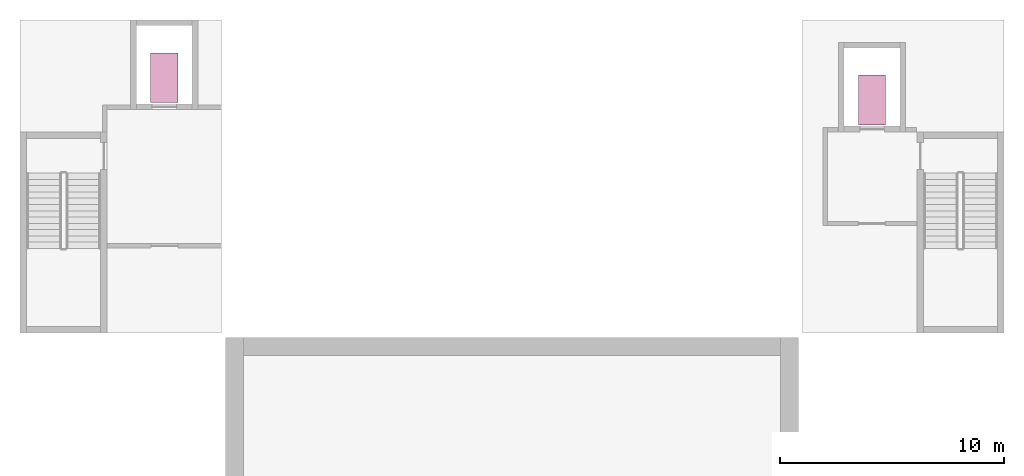
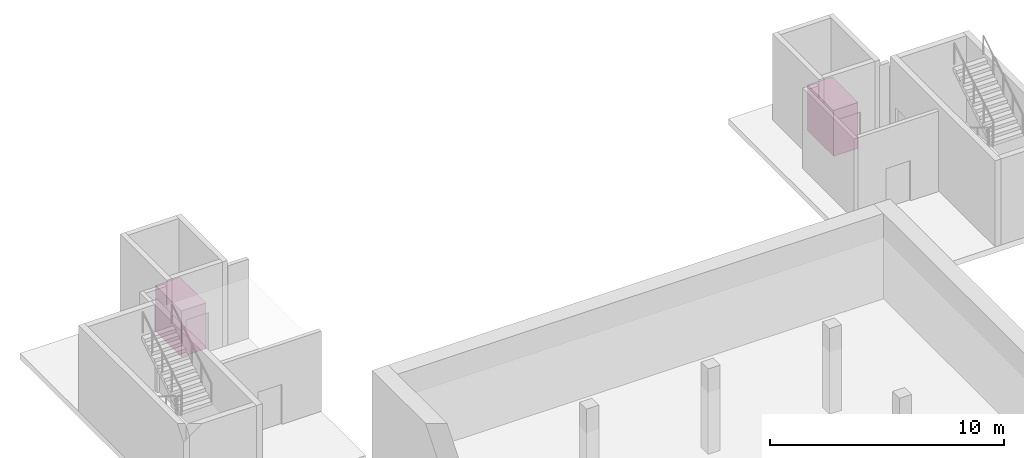
# One storey, part 7 of 7: 2 transport elements.
"""IFC4 building model written with IfcOpenShell, lengths in metres."""

from ifc_helpers import new_model, si_unit, direction, frame, origin, origin_2d, place, context, subcontext, project, spatial, rectangle, extrude, material, type_object, element, save


model = new_model("IFC4")

# Units and contexts
model_context = context("Model", 3, precision=1e-05, world=origin(), true_north=direction((0.0, 1.0)))
body_context = subcontext(model_context, "Body", "Model", "MODEL_VIEW")
ifc_project = project(units=[si_unit("LENGTHUNIT", "METRE"), si_unit("AREAUNIT", "SQUARE_METRE"), si_unit("VOLUMEUNIT", "CUBIC_METRE"), si_unit("PLANEANGLEUNIT", "RADIAN"), si_unit("MASSUNIT", "GRAM", prefix="KILO")], contexts=[model_context])

# Site, building, storey
site_placement = place(None, origin())
site = spatial("IfcSite", under=ifc_project, at=site_placement, CompositionType="ELEMENT")
building_placement = place(site_placement, origin())
building = spatial("IfcBuilding", under=site, at=building_placement, Name="Lunette Opera House", CompositionType="ELEMENT")
storey_placement = place(building_placement, frame((0.0, 0.0, -10.5)))
storey = spatial("IfcBuildingStorey", under=building, at=storey_placement, Name="B2", CompositionType="ELEMENT", Elevation=-10.5)

# Transport elements
ifc_material = material(Name="Stainless steel", Category="steel")
transport_element_type = type_object("IfcTransportElementType", Name="LIFT CAR", PredefinedType="ELEVATOR", material=ifc_material)
for number, where, z_axis, x_axis, name in (
    (1, (112.10009765625, 131.419921875, 0.0), (0.0, 0.0, 1.0), (1.0, 0.0, 0.0), "Lift FL3 car"),
    (2, (80.449951171875, 132.419921875, 0.0), (0.0, 0.0, 1.0), (1.0, 0.0, 0.0), "Lift LF7 car"),
):
    element("IfcTransportElement", number, at=place(storey_placement, frame(where, z_axis=z_axis, x_axis=x_axis)), inside=storey, type_object=transport_element_type, Name=name, PredefinedType="ELEVATOR", context=body_context, shape_type="SweptSolid", body=[
        extrude(rectangle(XDim=1.219970703125, YDim=2.219970703125, at=origin_2d()), origin(), (0.0, 0.0, 1.0), 2.39990234375),
    ])

save(model, "model.ifc")
